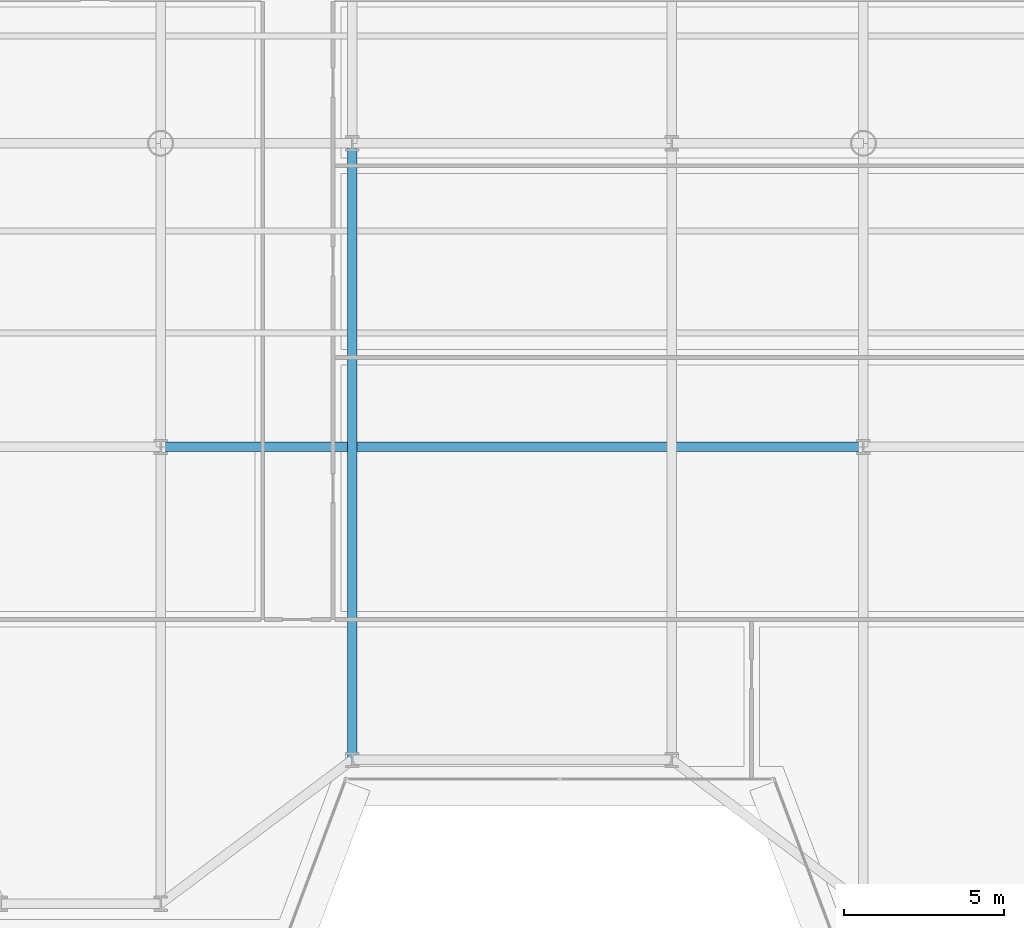
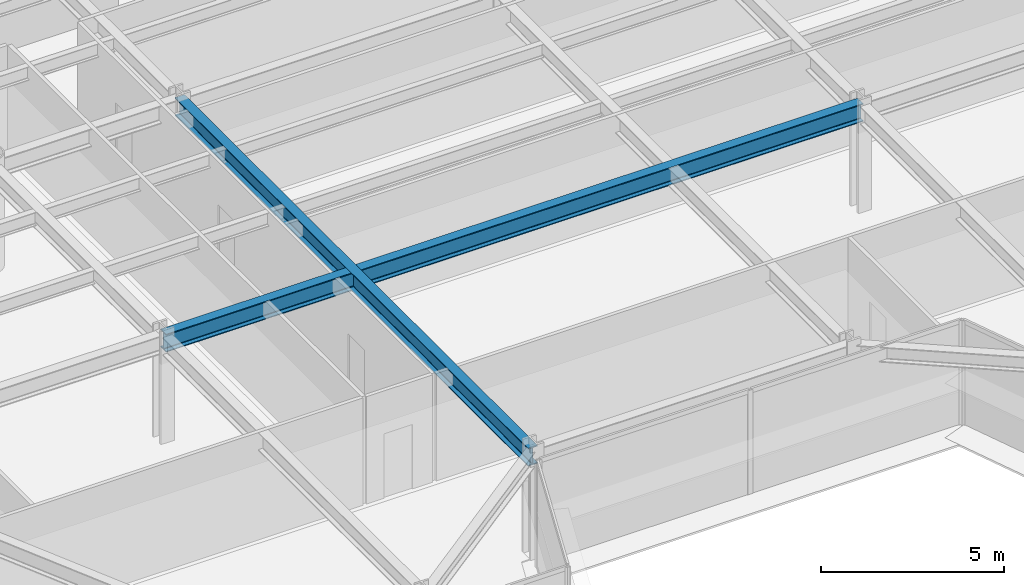
# One storey, part 3 of 17: 2 beams.
"""IFC4 building model written with IfcOpenShell, lengths in metres."""

from ifc_helpers import new_model, si_unit, direction, frame, origin, origin_2d, place, context, subcontext, project, spatial, i_section, extrude, source, transform, mapped, material, material_profile, profile_set, type_object, element, save


model = new_model("IFC4")

# Units and contexts
model_context = context("Model", 3, precision=1e-05, world=origin(), true_north=direction((0.0, 1.0)))
body_context = subcontext(model_context, "Body", "Model", "MODEL_VIEW")
ifc_project = project(units=[si_unit("LENGTHUNIT", "METRE"), si_unit("AREAUNIT", "SQUARE_METRE"), si_unit("VOLUMEUNIT", "CUBIC_METRE"), si_unit("PLANEANGLEUNIT", "RADIAN"), si_unit("MASSUNIT", "GRAM", prefix="KILO")], contexts=[model_context])

# Site, building, storey
site_placement = place(None, origin())
site = spatial("IfcSite", under=ifc_project, at=site_placement, CompositionType="ELEMENT")
building_placement = place(site_placement, origin())
building = spatial("IfcBuilding", under=site, at=building_placement, Name="Vaeldorn Concourse Tower", CompositionType="ELEMENT")
storey_placement = place(building_placement, frame((0.0, 0.0, 161.39990234375)))
storey = spatial("IfcBuildingStorey", under=building, at=storey_placement, Name="L41", CompositionType="ELEMENT", Elevation=161.39990234375)

# Beams
ifc_material = material(Name="Steel S355", Category="steel")
ifc_material_profile = material_profile(ifc_material, i_section(OverallWidth=0.300048828125, OverallDepth=0.60009765625, WebThickness=0.015380859375, FlangeThickness=0.030029296875, FilletRadius=0.027099609375, at=origin_2d()), Name="HEB 600")
ifc_profile_set = profile_set([ifc_material_profile], Name="Steel S355")
beam_type = type_object("IfcBeamType", Name="BM-PG-HEB600", PredefinedType="BEAM", material=ifc_profile_set)
shared_shape_1 = source(origin(), body_context, "Body", "SweptSolid", [
    extrude(i_section(OverallWidth=0.300048828125, OverallDepth=0.60009765625, WebThickness=0.015380859375, FlangeThickness=0.030029296875, FilletRadius=0.027099609375, at=origin_2d()), origin(), (0.0, 0.0, 1.0), 22.0),
])
beam_1_placement = place(storey_placement, frame((23.0, 18.0, 3.280029296875), z_axis=(1.0, 0.0, 0.0), x_axis=(0.0, 1.0, 0.0)))
element("IfcBeam", 1, at=beam_1_placement, inside=storey, type_object=beam_type, Name="Beam BM-L41-C-TW5-C-TW6", PredefinedType="BEAM", context=body_context, shape_type="MappedRepresentation", body=[
    mapped(shared_shape_1, transform((0.0, 0.0, 0.0), scale=1.0)),
])
shared_shape_2 = source(origin(), body_context, "Body", "SweptSolid", [
    extrude(i_section(OverallWidth=0.300048828125, OverallDepth=0.60009765625, WebThickness=0.015380859375, FlangeThickness=0.030029296875, FilletRadius=0.027099609375, at=origin_2d()), origin(), (0.0, 0.0, 1.0), 19.300048828125),
])
beam_2_placement = place(storey_placement, frame((29.0, 8.199951171875, 3.280029296875), z_axis=(0.0, 1.0, 0.0), x_axis=(-1.0, 0.0, 0.0)))
element("IfcBeam", 2, at=beam_2_placement, inside=storey, type_object=beam_type, Name="Beam BM-L41-C-SF3-C-TW2", PredefinedType="BEAM", context=body_context, shape_type="MappedRepresentation", body=[
    mapped(shared_shape_2, transform((0.0, 0.0, 0.0), scale=1.0)),
])

save(model, "model.ifc")
